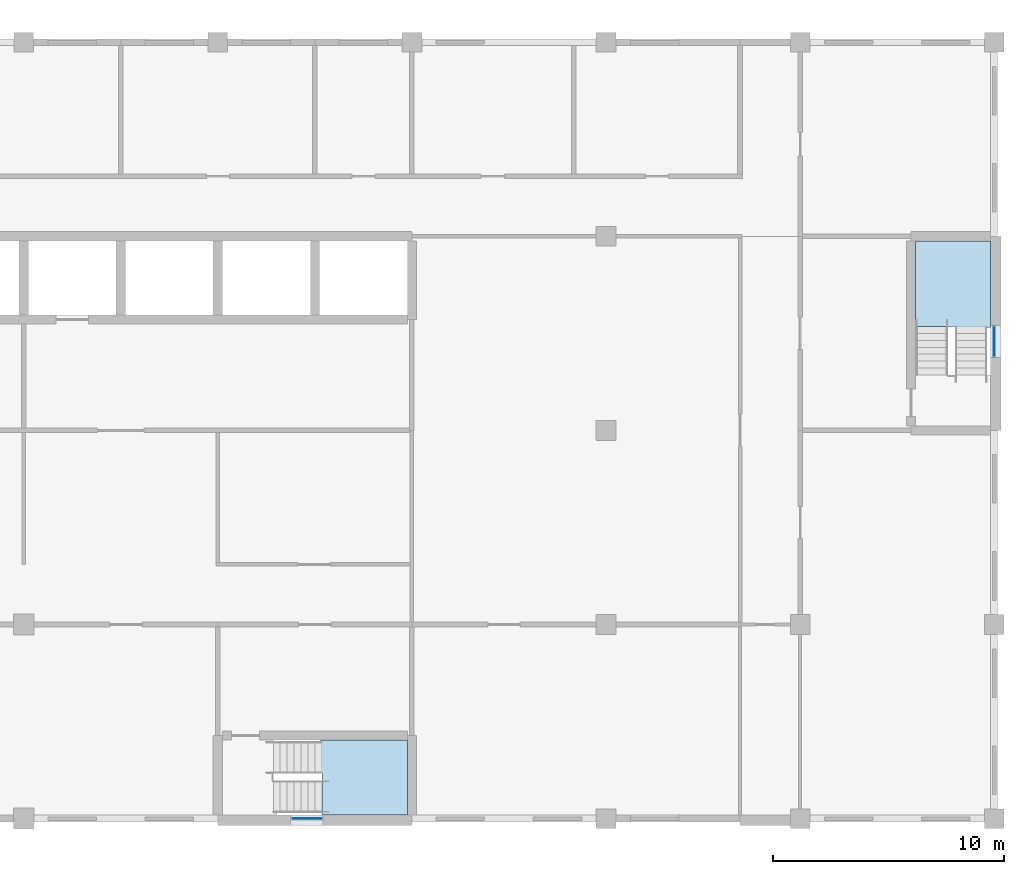
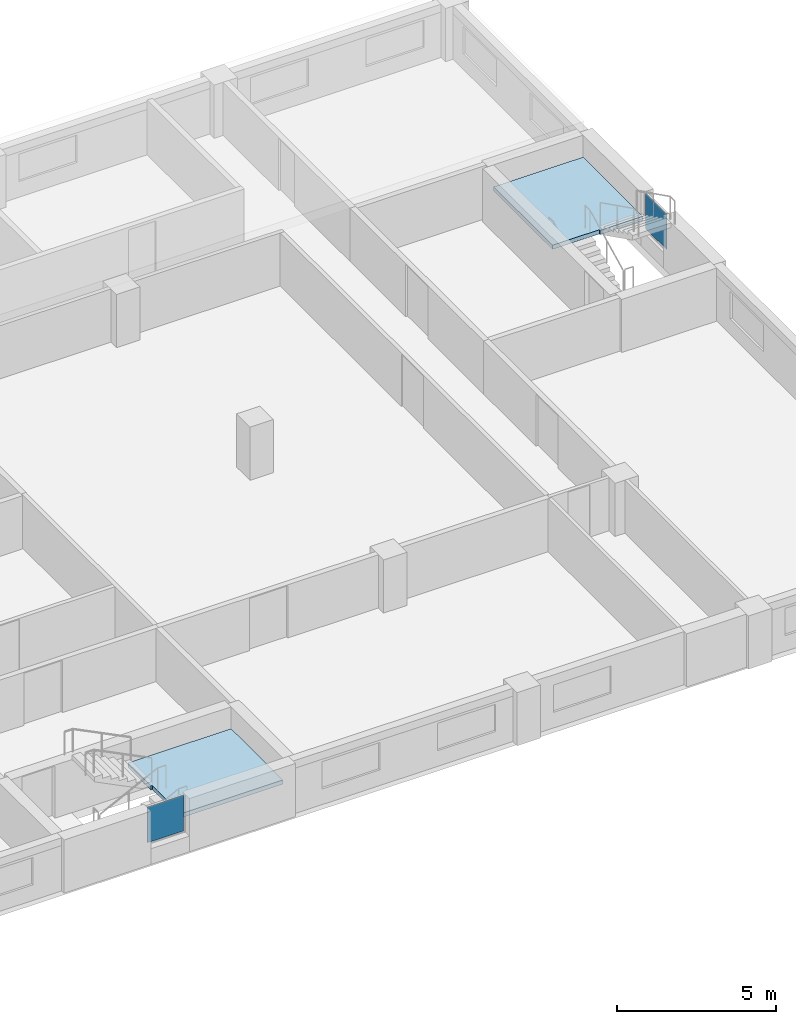
# One storey, part 28 of 48: 2 plates, 2 slabs, 4 elements without a shape of their own.
"""IFC4 building model written with IfcOpenShell, lengths in metres."""

from ifc_helpers import new_model, si_unit, direction, frame, origin, origin_2d, place, context, subcontext, project, spatial, polyline, rectangle, outline, extrude, material, layer, layer_set, type_object, element, aggregate, save


model = new_model("IFC4")

# Units and contexts
model_context = context("Model", 3, precision=1e-05, world=origin(), true_north=direction((0.0, 1.0)))
body_context = subcontext(model_context, "Body", "Model", "MODEL_VIEW")
ifc_project = project(units=[si_unit("LENGTHUNIT", "METRE"), si_unit("AREAUNIT", "SQUARE_METRE"), si_unit("VOLUMEUNIT", "CUBIC_METRE"), si_unit("PLANEANGLEUNIT", "RADIAN"), si_unit("MASSUNIT", "GRAM", prefix="KILO")], contexts=[model_context])

# Site, building, storey
site_placement = place(None, origin())
site = spatial("IfcSite", under=ifc_project, at=site_placement, CompositionType="ELEMENT")
building_placement = place(site_placement, origin())
building = spatial("IfcBuilding", under=site, at=building_placement, Name="Yavir Park General Hospital", CompositionType="ELEMENT")
storey_placement = place(building_placement, frame((0.0, 0.0, 12.89990234375)))
storey = spatial("IfcBuildingStorey", under=building, at=storey_placement, Name="I02", CompositionType="ELEMENT", Elevation=12.89990234375)

# Stair, slab
ifc_material_1 = material(Name="Concrete C30/37", Category="concrete")
stair_type = type_object("IfcStairType", Name="Patient escape stair, 16 risers of 150 mm, 1400 mm flights", PredefinedType="HALF_TURN_STAIR", material=ifc_material_1)
stair_1_placement = place(storey_placement, origin())
stair_1 = element("IfcStair", 1, at=stair_1_placement, inside=storey, type_object=stair_type, Name="Stair SU5, I02 to L03", PredefinedType="HALF_TURN_STAIR")
ifc_material_2 = material(Name="Concrete C30/37", Category="concrete")
ifc_layer_1 = layer(ifc_material_2, 0.159912109375)
ifc_layer_set_1 = layer_set([ifc_layer_1], Name="Concrete C30/37")
slab_type = type_object("IfcSlabType", Name="Patient escape stair half landing, reinforced concrete 160 mm", PredefinedType="LANDING", material=ifc_layer_set_1)
slab_1_placement = place(storey_placement, frame((0.0, 0.0, 1.0400390625)))
slab_1 = element("IfcSlab", 2, at=slab_1_placement, type_object=slab_type, Name="SU5 landing 1", PredefinedType="LANDING", context=body_context, shape_type="SweptSolid", body=[
    extrude(outline(polyline([(138.8984375, 0.14990234375), (142.60009765625, 0.14990234375), (142.60009765625, 3.39990234375), (138.85009765625, 3.39990234375), (138.85009765625, 1.949951171875), (138.8984375, 1.949951171875), (138.8984375, 0.14990234375)])), origin(), (0.0, 0.0, 1.0), 0.16015625),
])
aggregate(stair_1, [slab_1])

stair_2_placement = place(storey_placement, origin())
stair_2 = element("IfcStair", 3, at=stair_2_placement, inside=storey, type_object=stair_type, Name="Stair SU6, I02 to L03", PredefinedType="HALF_TURN_STAIR")
slab_2_placement = place(storey_placement, frame((0.0, 0.0, 1.0400390625)))
slab_2 = element("IfcSlab", 4, at=slab_2_placement, type_object=slab_type, Name="SU6 landing 1", PredefinedType="LANDING", context=body_context, shape_type="SweptSolid", body=[
    extrude(outline(polyline([(164.60009765625, 21.298583984375), (164.60009765625, 25.0), (167.85009765625, 25.0), (167.85009765625, 21.25), (166.300048828125, 21.25), (166.300048828125, 21.298583984375), (164.60009765625, 21.298583984375)])), origin(), (0.0, 0.0, 1.0), 0.16015625),
])
aggregate(stair_2, [slab_2])

# Curtain wall, plate
ifc_material_3 = material(Name="Aluminium curtain wall frame with insulated glazing", Category="aluminium")
curtain_wall_type = type_object("IfcCurtainWallType", Name="Stair light slot, interstitial floor, 1440 high, 1400 module", PredefinedType="NOTDEFINED", material=ifc_material_3)
curtain_wall_1_placement = place(storey_placement, origin())
curtain_wall_1 = element("IfcCurtainWall", 5, at=curtain_wall_1_placement, inside=storey, type_object=curtain_wall_type, Name="CW12 I02-004", PredefinedType="NOTDEFINED")
ifc_material_4 = material(Name="Single glazed toughened unit 20 mm")
ifc_layer_2 = layer(ifc_material_4, 0.02001953125)
ifc_layer_set_2 = layer_set([ifc_layer_2], Name="Single glazed toughened unit 20 mm")
plate_type = type_object("IfcPlateType", Name="Stair light slot, interstitial floor, 1440 high panel 20", PredefinedType="CURTAIN_PANEL", material=ifc_layer_set_2)
plate_1_placement = place(storey_placement, frame((138.25, 0.0, 0.64013671875), z_axis=(0.0, 0.0, 1.0), x_axis=(1.0, 0.0, 0.0)))
plate_1 = element("IfcPlate", 6, at=plate_1_placement, type_object=plate_type, Name="CW12 panel 1.1", PredefinedType="CURTAIN_PANEL", context=body_context, shape_type="SweptSolid", body=[
    extrude(rectangle(XDim=1.320068359375, YDim=0.02001953125, at=origin_2d()), origin(), (0.0, 0.0, 1.0), 1.360107421875),
])
aggregate(curtain_wall_1, [plate_1])

curtain_wall_2_placement = place(storey_placement, origin())
curtain_wall_2 = element("IfcCurtainWall", 7, at=curtain_wall_2_placement, inside=storey, type_object=curtain_wall_type, Name="CW12 I02-012", PredefinedType="NOTDEFINED")
plate_2_placement = place(storey_placement, frame((168.0, 20.64990234375, 0.64013671875), z_axis=(0.0, 0.0, 1.0), x_axis=(0.0, 1.0, 0.0)))
plate_2 = element("IfcPlate", 8, at=plate_2_placement, type_object=plate_type, Name="CW12 panel 1.1", PredefinedType="CURTAIN_PANEL", context=body_context, shape_type="SweptSolid", body=[
    extrude(rectangle(XDim=1.320068359375, YDim=0.02001953125, at=origin_2d()), origin(), (0.0, 0.0, 1.0), 1.360107421875),
])
aggregate(curtain_wall_2, [plate_2])

save(model, "model.ifc")
